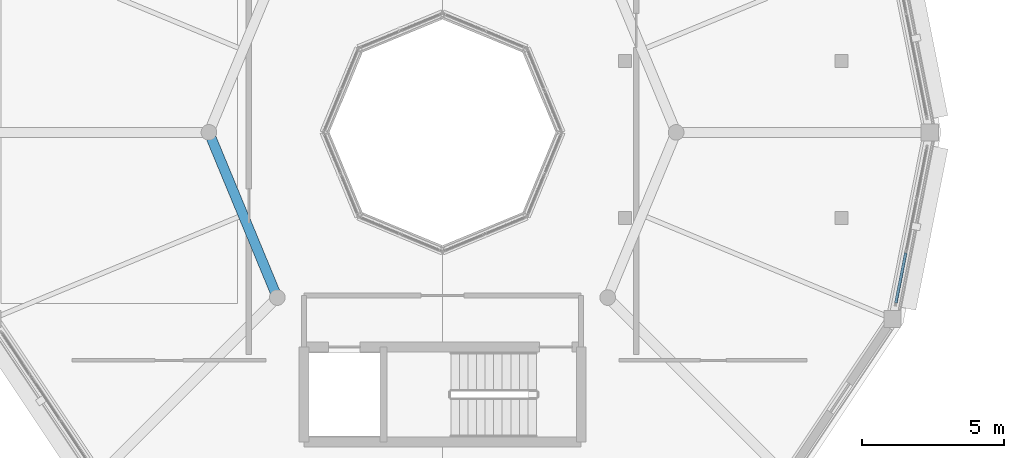
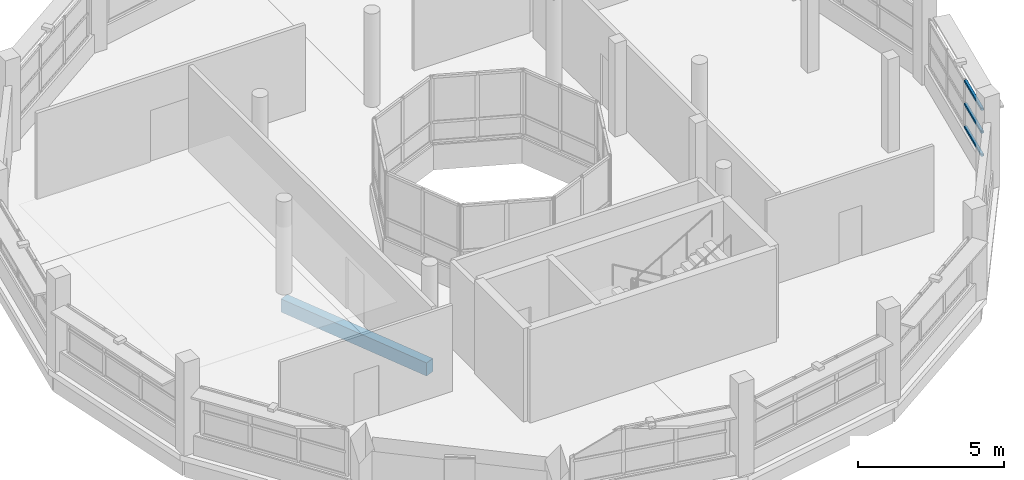
# One storey, part 68 of 121: 3 members, 1 beam, 1 element without a shape of its own.
"""IFC4 building model written with IfcOpenShell, lengths in metres."""

from ifc_helpers import new_model, si_unit, direction, frame, origin, origin_2d, place, context, subcontext, project, spatial, rectangle, hollow_rectangle, extrude, material, layer, layer_set, material_profile, profile_set, type_object, element, aggregate, save


model = new_model("IFC4")

# Units and contexts
model_context = context("Model", 3, precision=1e-05, world=origin(), true_north=direction((0.0, 1.0)))
body_context = subcontext(model_context, "Body", "Model", "MODEL_VIEW")
ifc_project = project(units=[si_unit("LENGTHUNIT", "METRE"), si_unit("AREAUNIT", "SQUARE_METRE"), si_unit("VOLUMEUNIT", "CUBIC_METRE"), si_unit("PLANEANGLEUNIT", "RADIAN"), si_unit("MASSUNIT", "GRAM", prefix="KILO")], contexts=[model_context])

# Site, building, storey
site_placement = place(None, origin())
site = spatial("IfcSite", under=ifc_project, at=site_placement, CompositionType="ELEMENT")
building_placement = place(site_placement, origin())
building = spatial("IfcBuilding", under=site, at=building_placement, Name="Vespera Passage Community Centre", CompositionType="ELEMENT")
storey_placement = place(building_placement, frame((0.0, 0.0, 8.699951171875)))
storey = spatial("IfcBuildingStorey", under=building, at=storey_placement, Name="L02", CompositionType="ELEMENT", Elevation=8.699951171875)

# Beam
ifc_material_1 = material(Name="Concrete f'c 35 MPa", Category="concrete")
ifc_material_profile_1 = material_profile(ifc_material_1, rectangle(XDim=0.35009765625, YDim=0.550048828125, at=origin_2d()), Name="RC350X550")
ifc_profile_set_1 = profile_set([ifc_material_profile_1], Name="Concrete f'c 35 MPa")
beam_type = type_object("IfcBeamType", Name="BM-J-350X550", PredefinedType="JOIST", material=ifc_profile_set_1)
beam_placement = place(storey_placement, frame((132.800048828125, 25.0, -0.514892578125), z_axis=(0.382664436252, -0.92388740073, 0.0), x_axis=(0.92388740073, 0.382664436252, 0.0)))
element("IfcBeam", 1, at=beam_placement, inside=storey, type_object=beam_type, Name="V3 L02 Inner Ring Beam 5", PredefinedType="JOIST", context=body_context, shape_type="SweptSolid", body=[
    extrude(rectangle(XDim=0.35009765625, YDim=0.550048828125, at=origin_2d()), origin(), (0.0, 0.0, 1.0), 6.276123046875),
])

# Curtain wall, members
ifc_material_2 = material(Name="Anodized aluminium 6063-T6", Category="aluminium")
ifc_layer = layer(ifc_material_2, 0.159912109375)
ifc_layer_set = layer_set([ifc_layer], Name="Anodized aluminium 6063-T6")
curtain_wall_type = type_object("IfcCurtainWallType", Name="CW-108E", PredefinedType="NOTDEFINED", material=ifc_layer_set)
curtain_wall_placement = place(storey_placement, origin())
curtain_wall = element("IfcCurtainWall", 2, at=curtain_wall_placement, inside=storey, type_object=curtain_wall_type, Name="Dining Drum Ribbon Curtain Wall L02.16", PredefinedType="NOTDEFINED")
ifc_material_3 = material(Name="Anodized aluminium 6063-T6", Category="aluminium")
ifc_material_profile_2 = material_profile(ifc_material_3, hollow_rectangle(XDim=0.10009765625, YDim=0.10009765625, WallThickness=0.00390625, InnerFilletRadius=0.001953125, OuterFilletRadius=0.00390625, at=origin_2d()), Name="ALU100X100X4")
ifc_profile_set_2 = profile_set([ifc_material_profile_2], Name="Anodized aluminium 6063-T6")
member_type = type_object("IfcMemberType", Name="MB-CWT-100E", PredefinedType="USERDEFINED", material=ifc_profile_set_2)
member_1_placement = place(storey_placement, frame((157.2587890625, 20.77099609375, 0.85009765625), z_axis=(-0.195118922523, -0.980779590975, 0.0), x_axis=(0.980779590975, -0.195118922523, 0.0)))
member_1 = element("IfcMember", 3, at=member_1_placement, type_object=member_type, Name="CW-108E transom 3.1", ObjectType="TRANSOM", PredefinedType="USERDEFINED", context=body_context, shape_type="SweptSolid", body=[
    extrude(hollow_rectangle(XDim=0.10009765625, YDim=0.10009765625, WallThickness=0.00390625, InnerFilletRadius=0.001953125, OuterFilletRadius=0.00390625, at=origin_2d()), origin(), (0.0, 0.0, 1.0), 1.789306640625),
])
member_2_placement = place(storey_placement, frame((157.2587890625, 20.77099609375, 1.8076171875), z_axis=(-0.195118922523, -0.980779590975, 0.0), x_axis=(0.980779590975, -0.195118922523, 0.0)))
member_2 = element("IfcMember", 4, at=member_2_placement, type_object=member_type, Name="CW-108E transom 3.2", ObjectType="TRANSOM", PredefinedType="USERDEFINED", context=body_context, shape_type="SweptSolid", body=[
    extrude(hollow_rectangle(XDim=0.10009765625, YDim=0.10009765625, WallThickness=0.00390625, InnerFilletRadius=0.001953125, OuterFilletRadius=0.00390625, at=origin_2d()), origin(), (0.0, 0.0, 1.0), 1.789306640625),
])
member_3_placement = place(storey_placement, frame((157.2587890625, 20.77099609375, 2.76513671875), z_axis=(-0.195118922523, -0.980779590975, 0.0), x_axis=(0.980779590975, -0.195118922523, 0.0)))
member_3 = element("IfcMember", 5, at=member_3_placement, type_object=member_type, Name="CW-108E transom 3.3", ObjectType="TRANSOM", PredefinedType="USERDEFINED", context=body_context, shape_type="SweptSolid", body=[
    extrude(hollow_rectangle(XDim=0.10009765625, YDim=0.10009765625, WallThickness=0.00390625, InnerFilletRadius=0.001953125, OuterFilletRadius=0.00390625, at=origin_2d()), origin(), (0.0, 0.0, 1.0), 1.789306640625),
])
aggregate(curtain_wall, [member_1, member_2, member_3])

save(model, "model.ifc")
